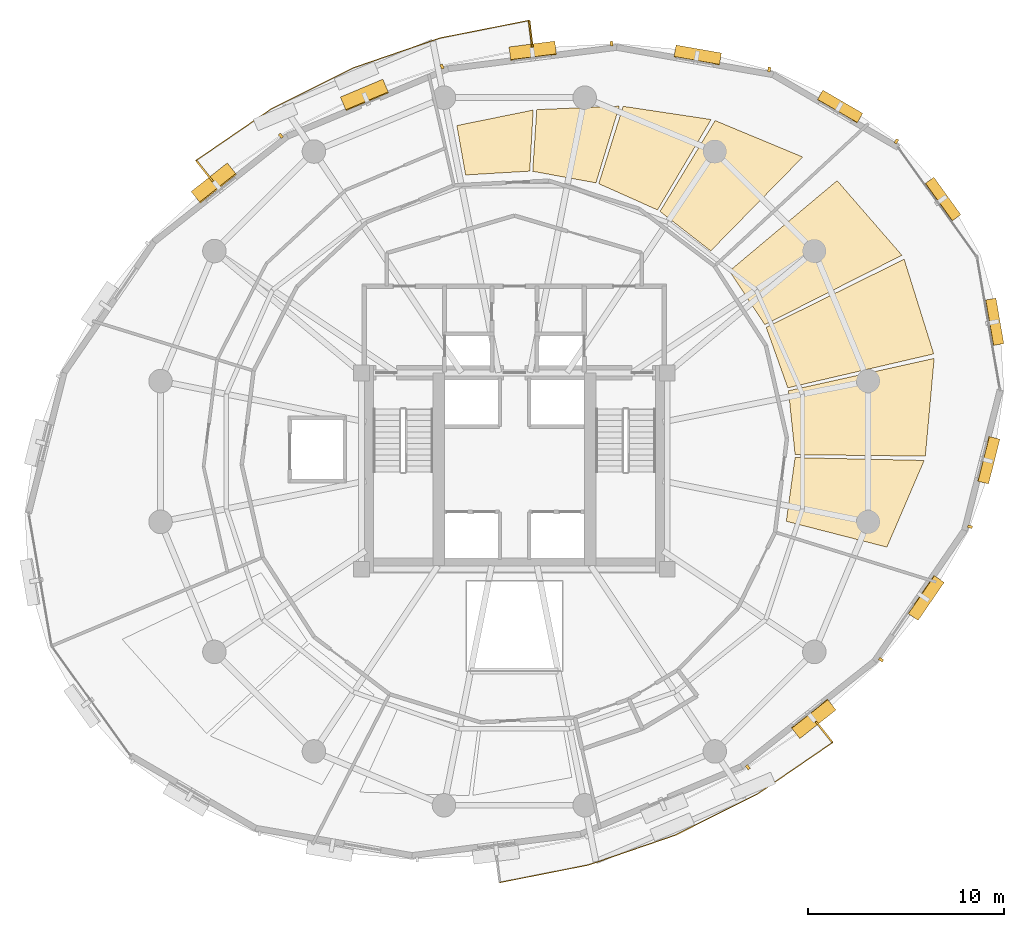
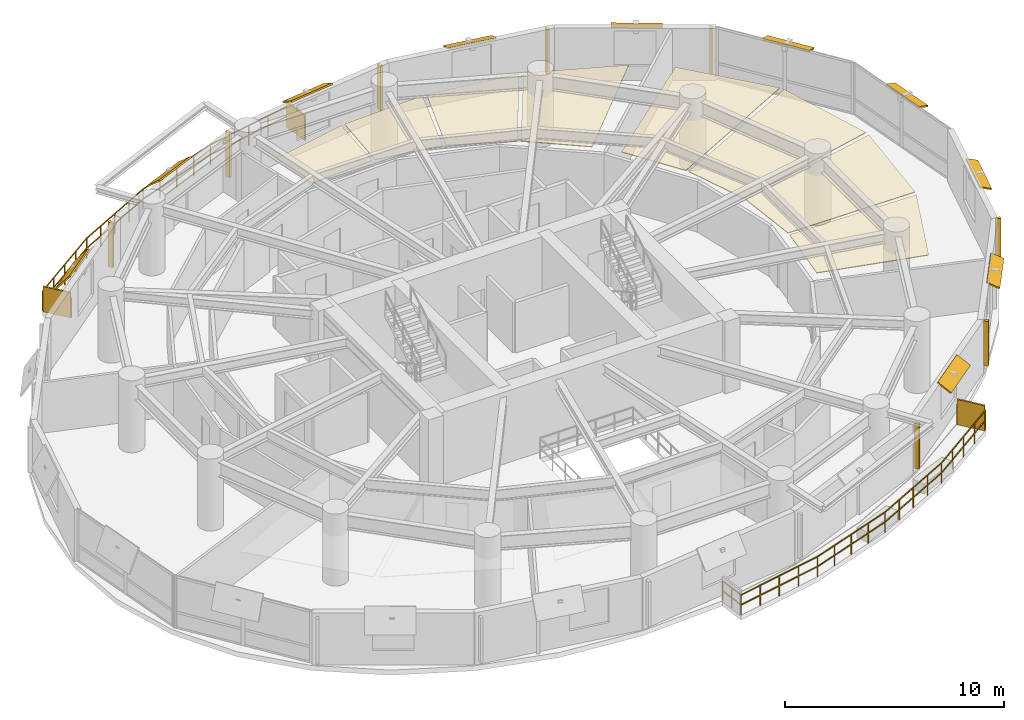
# One storey, part 14 of 14: 21 shading devices, 8 coverings, 2 railings.
"""IFC4 building model written with IfcOpenShell, lengths in metres."""

from ifc_helpers import new_model, si_unit, direction, frame, origin, origin_2d, place, context, subcontext, project, spatial, polyline, rectangle, outline, extrude, material, layer, layer_set, type_object, element, save


model = new_model("IFC4")

# Units and contexts
model_context = context("Model", 3, precision=1e-05, world=origin(), true_north=direction((0.0, 1.0)))
body_context = subcontext(model_context, "Body", "Model", "MODEL_VIEW")
ifc_project = project(units=[si_unit("LENGTHUNIT", "METRE"), si_unit("AREAUNIT", "SQUARE_METRE"), si_unit("VOLUMEUNIT", "CUBIC_METRE"), si_unit("PLANEANGLEUNIT", "RADIAN"), si_unit("MASSUNIT", "GRAM", prefix="KILO"), si_unit("THERMODYNAMICTEMPERATUREUNIT", "KELVIN"), si_unit("POWERUNIT", "WATT")], contexts=[model_context])

# Site, building, storey
site_placement = place(None, origin())
site = spatial("IfcSite", under=ifc_project, at=site_placement, CompositionType="ELEMENT")
building_placement = place(site_placement, origin())
building = spatial("IfcBuilding", under=site, at=building_placement, Name="Ocrelia Relay Tower", CompositionType="ELEMENT")
storey_placement = place(building_placement, frame((0.0, 0.0, 129.800048828125)))
storey = spatial("IfcBuildingStorey", under=building, at=storey_placement, Name="L30", CompositionType="ELEMENT", Elevation=129.800048828125)

# Coverings
ifc_material_1 = material(Name="Cleanroom metal-pan acoustic ceiling", Category="aluminium")
ifc_layer_1 = layer(ifc_material_1, 0.0400390625, Name="Cleanroom metal-pan acoustic ceiling")
ifc_layer_set_1 = layer_set([ifc_layer_1], Name="Cleanroom metal-pan acoustic ceiling")
covering_type = type_object("IfcCoveringType", Name="COV-CEIL-CLEAN", PredefinedType="CEILING", material=ifc_layer_set_1)
covering_1_placement = place(storey_placement, frame((0.0, 0.0, 2.719970703125)))
element("IfcCovering", 1, at=covering_1_placement, inside=storey, type_object=covering_type, Name="L30 Optical Switching Hall A Suspended Ceiling 1", PredefinedType="CEILING", context=body_context, shape_type="SweptSolid", body=[
    extrude(outline(polyline([(47.8701171875, 22.438720703125), (53.002685546875, 21.12109375), (54.903076171875, 25.5439453125), (48.316650390625, 25.6875), (47.8701171875, 22.438720703125)])), origin(), (0.0, 0.0, 1.0), 0.0400390625),
])
covering_2_placement = place(storey_placement, frame((0.0, 0.0, 2.719970703125)))
element("IfcCovering", 2, at=covering_2_placement, inside=storey, type_object=covering_type, Name="L30 Optical Switching Hall A Suspended Ceiling 2", PredefinedType="CEILING", context=body_context, shape_type="SweptSolid", body=[
    extrude(outline(polyline([(48.319091796875, 25.83740234375), (54.9619140625, 25.76220703125), (55.412841796875, 30.7470703125), (47.980712890625, 29.099365234375), (48.319091796875, 25.83740234375)])), origin(), (0.0, 0.0, 1.0), 0.0400390625),
])
covering_3_placement = place(storey_placement, frame((0.0, 0.0, 2.719970703125)))
element("IfcCovering", 3, at=covering_3_placement, inside=storey, type_object=covering_type, Name="L30 Optical Switching Hall A Suspended Ceiling 3", PredefinedType="CEILING", context=body_context, shape_type="SweptSolid", body=[
    extrude(outline(polyline([(47.947265625, 29.24560546875), (55.390625, 30.977783203125), (53.883056640625, 35.80517578125), (46.84326171875, 32.33349609375), (47.947265625, 29.24560546875)])), origin(), (0.0, 0.0, 1.0), 0.0400390625),
])
covering_4_placement = place(storey_placement, frame((0.0, 0.0, 2.719970703125)))
element("IfcCovering", 4, at=covering_4_placement, inside=storey, type_object=covering_type, Name="L30 Optical Switching Hall A Suspended Ceiling 4", PredefinedType="CEILING", context=body_context, shape_type="SweptSolid", body=[
    extrude(outline(polyline([(46.776123046875, 32.4677734375), (53.768798828125, 36.007568359375), (50.462890625, 39.814208984375), (44.9697265625, 35.20458984375), (46.776123046875, 32.4677734375)])), origin(), (0.0, 0.0, 1.0), 0.0400390625),
])
covering_5_placement = place(storey_placement, frame((0.0, 0.0, 2.719970703125)))
element("IfcCovering", 5, at=covering_5_placement, inside=storey, type_object=covering_type, Name="L30 Optical Switching Hall B Suspended Ceiling 1", PredefinedType="CEILING", context=body_context, shape_type="SweptSolid", body=[
    extrude(outline(polyline([(44.019287109375, 36.231201171875), (48.70849609375, 41.019775390625), (44.2421875, 42.87841796875), (41.4287109375, 38.2421875), (44.019287109375, 36.231201171875)])), origin(), (0.0, 0.0, 1.0), 0.0400390625),
])
covering_6_placement = place(storey_placement, frame((0.0, 0.0, 2.719970703125)))
element("IfcCovering", 6, at=covering_6_placement, inside=storey, type_object=covering_type, Name="L30 Optical Switching Hall B Suspended Ceiling 2", PredefinedType="CEILING", context=body_context, shape_type="SweptSolid", body=[
    extrude(outline(polyline([(41.30029296875, 38.319580078125), (44.034423828125, 42.93359375), (39.551025390625, 43.605712890625), (38.30615234375, 39.6572265625), (41.30029296875, 38.319580078125)])), origin(), (0.0, 0.0, 1.0), 0.0400390625),
])
covering_7_placement = place(storey_placement, frame((0.0, 0.0, 2.719970703125)))
element("IfcCovering", 7, at=covering_7_placement, inside=storey, type_object=covering_type, Name="L30 Optical Switching Hall B Suspended Ceiling 3", PredefinedType="CEILING", context=body_context, shape_type="SweptSolid", body=[
    extrude(outline(polyline([(38.162841796875, 39.70166015625), (39.351806640625, 43.61474609375), (35.142822265625, 43.4375), (34.9365234375, 40.289306640625), (38.162841796875, 39.70166015625)])), origin(), (0.0, 0.0, 1.0), 0.0400390625),
])
covering_8_placement = place(storey_placement, frame((0.0, 0.0, 2.719970703125)))
element("IfcCovering", 8, at=covering_8_placement, inside=storey, type_object=covering_type, Name="L30 Optical Switching Hall B Suspended Ceiling 4", PredefinedType="CEILING", context=body_context, shape_type="SweptSolid", body=[
    extrude(outline(polyline([(34.786865234375, 40.29833984375), (34.95849609375, 43.414306640625), (31.068603515625, 42.62451171875), (31.513427734375, 40.102294921875), (34.786865234375, 40.29833984375)])), origin(), (0.0, 0.0, 1.0), 0.0400390625),
])

# Railings
ifc_material_2 = material(Name="Steel S355 balustrade", Category="steel")
railing_type = type_object("IfcRailingType", Name="RL-EXT-GUARD-1150", PredefinedType="GUARDRAIL", material=ifc_material_2)
railing_1_placement = place(storey_placement, frame((18.63671875, 39.756103515625, 0.0)))
element("IfcRailing", 9, at=railing_1_placement, inside=storey, type_object=railing_type, Name="L30 Loggia Balcony Guard Rail B1", PredefinedType="GUARDRAIL", context=body_context, shape_type="SweptSolid", body=[
    extrude(rectangle(XDim=0.048095703125, YDim=0.048095703125, at=origin_2d()), frame((0.0, 0.0, 1.1259765625), z_axis=(-0.621913741806, 0.783085753767, 0.0), x_axis=(-0.783085753767, -0.621913741806, 0.0)), (0.0, 0.0, 1.0), 1.3935546875),
    extrude(rectangle(XDim=0.048095703125, YDim=0.048095703125, at=origin_2d()), frame((0.0, 0.0, 0.574951171875), z_axis=(-0.621913741806, 0.783085753767, 0.0), x_axis=(-0.783085753767, -0.621913741806, 0.0)), (0.0, 0.0, 1.0), 1.3935546875),
    extrude(rectangle(XDim=0.048095703125, YDim=0.048095703125, at=origin_2d()), frame((-0.86669921875, 1.09130859375, 1.1259765625), z_axis=(0.824911435369, 0.565261995713, 0.0), x_axis=(-0.565261995713, 0.824911435369, 0.0)), (0.0, 0.0, 1.0), 2.31591796875),
    extrude(rectangle(XDim=0.048095703125, YDim=0.048095703125, at=origin_2d()), frame((-0.86669921875, 1.09130859375, 0.574951171875), z_axis=(0.824911435369, 0.565261995713, 0.0), x_axis=(-0.565261995713, 0.824911435369, 0.0)), (0.0, 0.0, 1.0), 2.31591796875),
    extrude(rectangle(XDim=0.048095703125, YDim=0.048095703125, at=origin_2d()), frame((1.043701171875, 2.400390625, 1.1259765625), z_axis=(0.824960591581, 0.565190253223, 0.0), x_axis=(-0.565190253223, 0.824960591581, 0.0)), (0.0, 0.0, 1.0), 2.315673828125),
    extrude(rectangle(XDim=0.048095703125, YDim=0.048095703125, at=origin_2d()), frame((1.043701171875, 2.400390625, 0.574951171875), z_axis=(0.824960591581, 0.565190253223, 0.0), x_axis=(-0.565190253223, 0.824960591581, 0.0)), (0.0, 0.0, 1.0), 2.315673828125),
    extrude(rectangle(XDim=0.048095703125, YDim=0.048095703125, at=origin_2d()), frame((2.9541015625, 3.709228515625, 1.1259765625), z_axis=(0.89381103783, 0.448443785388, 0.0), x_axis=(-0.448443785388, 0.89381103783, 0.0)), (0.0, 0.0, 1.0), 4.681884765625),
    extrude(rectangle(XDim=0.048095703125, YDim=0.048095703125, at=origin_2d()), frame((2.9541015625, 3.709228515625, 0.574951171875), z_axis=(0.89381103783, 0.448443785388, 0.0), x_axis=(-0.448443785388, 0.89381103783, 0.0)), (0.0, 0.0, 1.0), 4.681884765625),
    extrude(rectangle(XDim=0.048095703125, YDim=0.048095703125, at=origin_2d()), frame((7.138916015625, 5.808837890625, 1.1259765625), z_axis=(0.945765719004, 0.324849510938, 0.0), x_axis=(-0.324849510938, 0.945765719004, 0.0)), (0.0, 0.0, 1.0), 4.68212890625),
    extrude(rectangle(XDim=0.048095703125, YDim=0.048095703125, at=origin_2d()), frame((7.138916015625, 5.808837890625, 0.574951171875), z_axis=(0.945765719004, 0.324849510938, 0.0), x_axis=(-0.324849510938, 0.945765719004, 0.0)), (0.0, 0.0, 1.0), 4.68212890625),
    extrude(rectangle(XDim=0.048095703125, YDim=0.048095703125, at=origin_2d()), frame((11.567138671875, 7.329833984375, 1.1259765625), z_axis=(0.981024188546, 0.193885382347, 0.0), x_axis=(-0.193885382347, 0.981024188546, 0.0)), (0.0, 0.0, 1.0), 2.315673828125),
    extrude(rectangle(XDim=0.048095703125, YDim=0.048095703125, at=origin_2d()), frame((11.567138671875, 7.329833984375, 0.574951171875), z_axis=(0.981024188546, 0.193885382347, 0.0), x_axis=(-0.193885382347, 0.981024188546, 0.0)), (0.0, 0.0, 1.0), 2.315673828125),
    extrude(rectangle(XDim=0.048095703125, YDim=0.048095703125, at=origin_2d()), frame((13.8388671875, 7.77880859375, 1.1259765625), z_axis=(0.981004130304, 0.193986845756, 0.0), x_axis=(-0.193986845756, 0.981004130304, 0.0)), (0.0, 0.0, 1.0), 2.315673828125),
    extrude(rectangle(XDim=0.048095703125, YDim=0.048095703125, at=origin_2d()), frame((13.8388671875, 7.77880859375, 0.574951171875), z_axis=(0.981004130304, 0.193986845756, 0.0), x_axis=(-0.193986845756, 0.981004130304, 0.0)), (0.0, 0.0, 1.0), 2.315673828125),
    extrude(rectangle(XDim=0.048095703125, YDim=0.048095703125, at=origin_2d()), frame((16.110595703125, 8.22802734375, 1.1259765625), z_axis=(0.124552169125, -0.992213060369, 0.0), x_axis=(0.992213060369, 0.124552169125, 0.0)), (0.0, 0.0, 1.0), 1.3935546875),
    extrude(rectangle(XDim=0.048095703125, YDim=0.048095703125, at=origin_2d()), frame((16.110595703125, 8.22802734375, 0.574951171875), z_axis=(0.124552169125, -0.992213060369, 0.0), x_axis=(0.992213060369, 0.124552169125, 0.0)), (0.0, 0.0, 1.0), 1.3935546875),
    extrude(rectangle(XDim=0.0419921875, YDim=0.0419921875, at=origin_2d()), origin(), (0.0, 0.0, 1.0), 1.101806640625),
    extrude(rectangle(XDim=0.0419921875, YDim=0.0419921875, at=origin_2d()), frame((-0.433349609375, 0.545654296875, 0.0)), (0.0, 0.0, 1.0), 1.101806640625),
    extrude(rectangle(XDim=0.0419921875, YDim=0.0419921875, at=origin_2d()), frame((-0.86669921875, 1.09130859375, 0.0)), (0.0, 0.0, 1.0), 1.101806640625),
    extrude(rectangle(XDim=0.0419921875, YDim=0.0419921875, at=origin_2d()), frame((0.08837890625, 1.745849609375, 0.0)), (0.0, 0.0, 1.0), 1.101806640625),
    extrude(rectangle(XDim=0.0419921875, YDim=0.0419921875, at=origin_2d()), frame((1.043701171875, 2.400390625, 0.0)), (0.0, 0.0, 1.0), 1.101806640625),
    extrude(rectangle(XDim=0.0419921875, YDim=0.0419921875, at=origin_2d()), frame((1.9990234375, 3.0546875, 0.0)), (0.0, 0.0, 1.0), 1.101806640625),
    extrude(rectangle(XDim=0.0419921875, YDim=0.0419921875, at=origin_2d()), frame((2.9541015625, 3.709228515625, 0.0)), (0.0, 0.0, 1.0), 1.101806640625),
    extrude(rectangle(XDim=0.0419921875, YDim=0.0419921875, at=origin_2d()), frame((4.000244140625, 4.234130859375, 0.0)), (0.0, 0.0, 1.0), 1.101806640625),
    extrude(rectangle(XDim=0.0419921875, YDim=0.0419921875, at=origin_2d()), frame((5.04638671875, 4.759033203125, 0.0)), (0.0, 0.0, 1.0), 1.101806640625),
    extrude(rectangle(XDim=0.0419921875, YDim=0.0419921875, at=origin_2d()), frame((6.0927734375, 5.283935546875, 0.0)), (0.0, 0.0, 1.0), 1.101806640625),
    extrude(rectangle(XDim=0.0419921875, YDim=0.0419921875, at=origin_2d()), frame((7.138916015625, 5.808837890625, 0.0)), (0.0, 0.0, 1.0), 1.101806640625),
    extrude(rectangle(XDim=0.0419921875, YDim=0.0419921875, at=origin_2d()), frame((8.24609375, 6.18896484375, 0.0)), (0.0, 0.0, 1.0), 1.101806640625),
    extrude(rectangle(XDim=0.0419921875, YDim=0.0419921875, at=origin_2d()), frame((9.35302734375, 6.5693359375, 0.0)), (0.0, 0.0, 1.0), 1.101806640625),
    extrude(rectangle(XDim=0.0419921875, YDim=0.0419921875, at=origin_2d()), frame((10.4599609375, 6.94970703125, 0.0)), (0.0, 0.0, 1.0), 1.101806640625),
    extrude(rectangle(XDim=0.0419921875, YDim=0.0419921875, at=origin_2d()), frame((11.567138671875, 7.329833984375, 0.0)), (0.0, 0.0, 1.0), 1.101806640625),
    extrude(rectangle(XDim=0.0419921875, YDim=0.0419921875, at=origin_2d()), frame((12.703125, 7.55419921875, 0.0)), (0.0, 0.0, 1.0), 1.101806640625),
    extrude(rectangle(XDim=0.0419921875, YDim=0.0419921875, at=origin_2d()), frame((13.8388671875, 7.77880859375, 0.0)), (0.0, 0.0, 1.0), 1.101806640625),
    extrude(rectangle(XDim=0.0419921875, YDim=0.0419921875, at=origin_2d()), frame((14.974609375, 8.00341796875, 0.0)), (0.0, 0.0, 1.0), 1.101806640625),
    extrude(rectangle(XDim=0.0419921875, YDim=0.0419921875, at=origin_2d()), frame((16.110595703125, 8.22802734375, 0.0)), (0.0, 0.0, 1.0), 1.101806640625),
    extrude(rectangle(XDim=0.0419921875, YDim=0.0419921875, at=origin_2d()), frame((16.197265625, 7.53662109375, 0.0)), (0.0, 0.0, 1.0), 1.101806640625),
    extrude(rectangle(XDim=0.0419921875, YDim=0.0419921875, at=origin_2d()), frame((16.2841796875, 6.84521484375, 0.0)), (0.0, 0.0, 1.0), 1.101806640625),
])
railing_2_placement = place(storey_placement, frame((49.36328125, 12.243896484375, 0.0)))
element("IfcRailing", 10, at=railing_2_placement, inside=storey, type_object=railing_type, Name="L30 Loggia Balcony Guard Rail B2", PredefinedType="GUARDRAIL", context=body_context, shape_type="SweptSolid", body=[
    extrude(rectangle(XDim=0.048095703125, YDim=0.048095703125, at=origin_2d()), frame((0.0, 0.0, 1.1259765625), z_axis=(0.621913741806, -0.783085753767, 0.0), x_axis=(0.783085753767, 0.621913741806, 0.0)), (0.0, 0.0, 1.0), 1.3935546875),
    extrude(rectangle(XDim=0.048095703125, YDim=0.048095703125, at=origin_2d()), frame((0.0, 0.0, 0.574951171875), z_axis=(0.621913741806, -0.783085753767, 0.0), x_axis=(0.783085753767, 0.621913741806, 0.0)), (0.0, 0.0, 1.0), 1.3935546875),
    extrude(rectangle(XDim=0.048095703125, YDim=0.048095703125, at=origin_2d()), frame((0.86669921875, -1.09130859375, 1.1259765625), z_axis=(-0.824911435369, -0.565261995713, 0.0), x_axis=(0.565261995713, -0.824911435369, 0.0)), (0.0, 0.0, 1.0), 2.31591796875),
    extrude(rectangle(XDim=0.048095703125, YDim=0.048095703125, at=origin_2d()), frame((0.86669921875, -1.09130859375, 0.574951171875), z_axis=(-0.824911435369, -0.565261995713, 0.0), x_axis=(0.565261995713, -0.824911435369, 0.0)), (0.0, 0.0, 1.0), 2.31591796875),
    extrude(rectangle(XDim=0.048095703125, YDim=0.048095703125, at=origin_2d()), frame((-1.043701171875, -2.400390625, 1.1259765625), z_axis=(-0.824960591581, -0.565190253223, 0.0), x_axis=(0.565190253223, -0.824960591581, 0.0)), (0.0, 0.0, 1.0), 2.315673828125),
    extrude(rectangle(XDim=0.048095703125, YDim=0.048095703125, at=origin_2d()), frame((-1.043701171875, -2.400390625, 0.574951171875), z_axis=(-0.824960591581, -0.565190253223, 0.0), x_axis=(0.565190253223, -0.824960591581, 0.0)), (0.0, 0.0, 1.0), 2.315673828125),
    extrude(rectangle(XDim=0.048095703125, YDim=0.048095703125, at=origin_2d()), frame((-2.9541015625, -3.709228515625, 1.1259765625), z_axis=(-0.89381103783, -0.448443785388, 0.0), x_axis=(0.448443785388, -0.89381103783, 0.0)), (0.0, 0.0, 1.0), 4.681884765625),
    extrude(rectangle(XDim=0.048095703125, YDim=0.048095703125, at=origin_2d()), frame((-2.9541015625, -3.709228515625, 0.574951171875), z_axis=(-0.89381103783, -0.448443785388, 0.0), x_axis=(0.448443785388, -0.89381103783, 0.0)), (0.0, 0.0, 1.0), 4.681884765625),
    extrude(rectangle(XDim=0.048095703125, YDim=0.048095703125, at=origin_2d()), frame((-7.138916015625, -5.808837890625, 1.1259765625), z_axis=(-0.945765719004, -0.324849510938, 0.0), x_axis=(0.324849510938, -0.945765719004, 0.0)), (0.0, 0.0, 1.0), 4.68212890625),
    extrude(rectangle(XDim=0.048095703125, YDim=0.048095703125, at=origin_2d()), frame((-7.138916015625, -5.808837890625, 0.574951171875), z_axis=(-0.945765719004, -0.324849510938, 0.0), x_axis=(0.324849510938, -0.945765719004, 0.0)), (0.0, 0.0, 1.0), 4.68212890625),
    extrude(rectangle(XDim=0.048095703125, YDim=0.048095703125, at=origin_2d()), frame((-11.567138671875, -7.329833984375, 1.1259765625), z_axis=(-0.981004130304, -0.193986845756, 0.0), x_axis=(0.193986845756, -0.981004130304, 0.0)), (0.0, 0.0, 1.0), 2.315673828125),
    extrude(rectangle(XDim=0.048095703125, YDim=0.048095703125, at=origin_2d()), frame((-11.567138671875, -7.329833984375, 0.574951171875), z_axis=(-0.981004130304, -0.193986845756, 0.0), x_axis=(0.193986845756, -0.981004130304, 0.0)), (0.0, 0.0, 1.0), 2.315673828125),
    extrude(rectangle(XDim=0.048095703125, YDim=0.048095703125, at=origin_2d()), frame((-13.8388671875, -7.779052734375, 1.1259765625), z_axis=(-0.981024188546, -0.193885382347, 0.0), x_axis=(0.193885382347, -0.981024188546, 0.0)), (0.0, 0.0, 1.0), 2.315673828125),
    extrude(rectangle(XDim=0.048095703125, YDim=0.048095703125, at=origin_2d()), frame((-13.8388671875, -7.779052734375, 0.574951171875), z_axis=(-0.981024188546, -0.193885382347, 0.0), x_axis=(0.193885382347, -0.981024188546, 0.0)), (0.0, 0.0, 1.0), 2.315673828125),
    extrude(rectangle(XDim=0.048095703125, YDim=0.048095703125, at=origin_2d()), frame((-16.110595703125, -8.22802734375, 1.1259765625), z_axis=(-0.124552169125, 0.992213060369, 0.0), x_axis=(-0.992213060369, -0.124552169125, 0.0)), (0.0, 0.0, 1.0), 1.3935546875),
    extrude(rectangle(XDim=0.048095703125, YDim=0.048095703125, at=origin_2d()), frame((-16.110595703125, -8.22802734375, 0.574951171875), z_axis=(-0.124552169125, 0.992213060369, 0.0), x_axis=(-0.992213060369, -0.124552169125, 0.0)), (0.0, 0.0, 1.0), 1.3935546875),
    extrude(rectangle(XDim=0.0419921875, YDim=0.0419921875, at=origin_2d()), origin(), (0.0, 0.0, 1.0), 1.101806640625),
    extrude(rectangle(XDim=0.0419921875, YDim=0.0419921875, at=origin_2d()), frame((0.433349609375, -0.545654296875, 0.0)), (0.0, 0.0, 1.0), 1.101806640625),
    extrude(rectangle(XDim=0.0419921875, YDim=0.0419921875, at=origin_2d()), frame((0.86669921875, -1.09130859375, 0.0)), (0.0, 0.0, 1.0), 1.101806640625),
    extrude(rectangle(XDim=0.0419921875, YDim=0.0419921875, at=origin_2d()), frame((-0.08837890625, -1.745849609375, 0.0)), (0.0, 0.0, 1.0), 1.101806640625),
    extrude(rectangle(XDim=0.0419921875, YDim=0.0419921875, at=origin_2d()), frame((-1.043701171875, -2.400390625, 0.0)), (0.0, 0.0, 1.0), 1.101806640625),
    extrude(rectangle(XDim=0.0419921875, YDim=0.0419921875, at=origin_2d()), frame((-1.9990234375, -3.0546875, 0.0)), (0.0, 0.0, 1.0), 1.101806640625),
    extrude(rectangle(XDim=0.0419921875, YDim=0.0419921875, at=origin_2d()), frame((-2.9541015625, -3.709228515625, 0.0)), (0.0, 0.0, 1.0), 1.101806640625),
    extrude(rectangle(XDim=0.0419921875, YDim=0.0419921875, at=origin_2d()), frame((-4.000244140625, -4.234130859375, 0.0)), (0.0, 0.0, 1.0), 1.101806640625),
    extrude(rectangle(XDim=0.0419921875, YDim=0.0419921875, at=origin_2d()), frame((-5.04638671875, -4.759033203125, 0.0)), (0.0, 0.0, 1.0), 1.101806640625),
    extrude(rectangle(XDim=0.0419921875, YDim=0.0419921875, at=origin_2d()), frame((-6.0927734375, -5.283935546875, 0.0)), (0.0, 0.0, 1.0), 1.101806640625),
    extrude(rectangle(XDim=0.0419921875, YDim=0.0419921875, at=origin_2d()), frame((-7.138916015625, -5.808837890625, 0.0)), (0.0, 0.0, 1.0), 1.101806640625),
    extrude(rectangle(XDim=0.0419921875, YDim=0.0419921875, at=origin_2d()), frame((-8.24609375, -6.18896484375, 0.0)), (0.0, 0.0, 1.0), 1.101806640625),
    extrude(rectangle(XDim=0.0419921875, YDim=0.0419921875, at=origin_2d()), frame((-9.35302734375, -6.5693359375, 0.0)), (0.0, 0.0, 1.0), 1.101806640625),
    extrude(rectangle(XDim=0.0419921875, YDim=0.0419921875, at=origin_2d()), frame((-10.4599609375, -6.94970703125, 0.0)), (0.0, 0.0, 1.0), 1.101806640625),
    extrude(rectangle(XDim=0.0419921875, YDim=0.0419921875, at=origin_2d()), frame((-11.567138671875, -7.329833984375, 0.0)), (0.0, 0.0, 1.0), 1.101806640625),
    extrude(rectangle(XDim=0.0419921875, YDim=0.0419921875, at=origin_2d()), frame((-12.703125, -7.554443359375, 0.0)), (0.0, 0.0, 1.0), 1.101806640625),
    extrude(rectangle(XDim=0.0419921875, YDim=0.0419921875, at=origin_2d()), frame((-13.8388671875, -7.779052734375, 0.0)), (0.0, 0.0, 1.0), 1.101806640625),
    extrude(rectangle(XDim=0.0419921875, YDim=0.0419921875, at=origin_2d()), frame((-14.974609375, -8.00341796875, 0.0)), (0.0, 0.0, 1.0), 1.101806640625),
    extrude(rectangle(XDim=0.0419921875, YDim=0.0419921875, at=origin_2d()), frame((-16.110595703125, -8.22802734375, 0.0)), (0.0, 0.0, 1.0), 1.101806640625),
    extrude(rectangle(XDim=0.0419921875, YDim=0.0419921875, at=origin_2d()), frame((-16.197265625, -7.53662109375, 0.0)), (0.0, 0.0, 1.0), 1.101806640625),
    extrude(rectangle(XDim=0.0419921875, YDim=0.0419921875, at=origin_2d()), frame((-16.2841796875, -6.84521484375, 0.0)), (0.0, 0.0, 1.0), 1.101806640625),
])

# Shading devices
ifc_material_3 = material(Name="Perforated oxide terracotta solar screen", Category="masonry")
ifc_layer_2 = layer(ifc_material_3, 0.090087890625, Name="Perforated oxide terracotta solar screen")
ifc_layer_set_2 = layer_set([ifc_layer_2], Name="Perforated oxide terracotta solar screen")
shading_device_type_1 = type_object("IfcShadingDeviceType", Name="SH-BALC-SCREEN", PredefinedType="USERDEFINED", material=ifc_layer_set_2)
for number, where, z_axis, x_axis, name in (
    (11, (34.833984375, 47.292724609375, 0.0), (0.0, 0.0, 1.0), (-0.12443216568, 0.992228116989, 0.0), "L30 Balcony Perforated Terracotta Screen B1-1"),
    (12, (18.203369140625, 40.3017578125, 0.0), (0.0, 0.0, 1.0), (-0.621908031647, 0.783090288647, 0.0), "L30 Balcony Perforated Terracotta Screen B1-2"),
    (13, (49.796630859375, 11.6982421875, 0.0), (0.0, 0.0, 1.0), (0.621908031647, -0.783090288647, 0.0), "L30 Balcony Perforated Terracotta Screen B2-2"),
):
    element("IfcShadingDevice", number, at=place(storey_placement, frame(where, z_axis=z_axis, x_axis=x_axis)), inside=storey, type_object=shading_device_type_1, Name=name, ObjectType="SCREEN", PredefinedType="USERDEFINED", context=body_context, shape_type="SweptSolid", body=[
        extrude(rectangle(XDim=1.340087890625, YDim=0.090087890625, at=origin_2d()), origin(), (0.0, 0.0, 1.0), 1.39990234375),
    ])
ifc_material_4 = material(Name="Extruded oxide terracotta vertical baguette", Category="masonry")
shading_device_type_2 = type_object("IfcShadingDeviceType", Name="SH-TERR-BAGUETTE", PredefinedType="USERDEFINED", material=ifc_material_4)
for number, where, z_axis, x_axis, name in (
    (14, (53.48681640625, 41.8212890625, 0.199951171875), (0.0, 0.0, 1.0), (-0.864445728571, 0.502726150459, 0.0), "L30 Oxide Terracotta Vertical Baguette 02"),
    (15, (46.99951171875, 45.481689453125, 0.199951171875), (0.0, 0.0, 1.0), (-0.985054946327, 0.172240392232, 0.0), "L30 Oxide Terracotta Vertical Baguette 03"),
    (16, (38.955078125, 46.805908203125, 0.199951171875), (0.0, 0.0, 1.0), (-0.992052038851, -0.125828264753, 0.0), "L30 Oxide Terracotta Vertical Baguette 04"),
    (17, (30.3076171875, 45.6357421875, 0.199951171875), (0.0, 0.0, 1.0), (-0.921864083545, -0.387513369408, 0.0), "L30 Oxide Terracotta Vertical Baguette 05"),
    (18, (22.091064453125, 42.102783203125, 0.199951171875), (0.0, 0.0, 1.0), (-0.784001867769, -0.62075846457, 0.0), "L30 Oxide Terracotta Vertical Baguette 06"),
    (19, (45.908935546875, 9.897216796875, 0.199951171875), (0.0, 0.0, 1.0), (0.784001867769, 0.62075846457, 0.0), "L30 Oxide Terracotta Vertical Baguette 15"),
    (20, (52.703125, 15.3798828125, 0.199951171875), (0.0, 0.0, 1.0), (0.566147090887, 0.824304234782, 0.0), "L30 Oxide Terracotta Vertical Baguette 16"),
    (21, (57.242431640625, 22.161376953125, 0.199951171875), (0.0, 0.0, 1.0), (0.245635180575, 0.969362346114, 0.0), "L30 Oxide Terracotta Vertical Baguette 17"),
):
    element("IfcShadingDevice", number, at=place(storey_placement, frame(where, z_axis=z_axis, x_axis=x_axis)), inside=storey, type_object=shading_device_type_2, Name=name, ObjectType="BAGUETTE", PredefinedType="USERDEFINED", context=body_context, shape_type="SweptSolid", body=[
        extrude(rectangle(XDim=0.139892578125, YDim=0.239990234375, at=origin_2d()), origin(), (0.0, 0.0, 1.0), 2.5),
    ])
ifc_material_5 = material(Name="Extruded oxide terracotta fin", Category="masonry")
ifc_layer_3 = layer(ifc_material_5, 0.080078125, Name="Extruded oxide terracotta fin")
ifc_layer_set_3 = layer_set([ifc_layer_3], Name="Extruded oxide terracotta fin")
shading_device_type_3 = type_object("IfcShadingDeviceType", Name="SH-VISOR-FIN-MED", PredefinedType="USERDEFINED", material=ifc_layer_set_3)
shading_device_1_placement = place(storey_placement, frame((26.366943359375, 44.15869140625, 2.709716796875), z_axis=(-0.254639748171, 0.605768101473, 0.753792813636), x_axis=(-0.921864083545, -0.387513369408, 0.0)))
element("IfcShadingDevice", 22, at=shading_device_1_placement, inside=storey, type_object=shading_device_type_3, Name="L30 Canted Terracotta Sun-Visor Fin 05", ObjectType="FIN", PredefinedType="USERDEFINED", context=body_context, shape_type="SweptSolid", body=[
    extrude(rectangle(XDim=2.35009765625, YDim=0.93505859375, at=origin_2d()), origin(), (0.0, 0.0, 1.0), 0.080078125),
])
shading_device_2_placement = place(storey_placement, frame((18.69091796875, 39.668212890625, 2.715087890625), z_axis=(-0.485540739548, 0.613225382191, 0.623060848454), x_axis=(-0.784001867769, -0.62075846457, 0.0)))
element("IfcShadingDevice", 23, at=shading_device_2_placement, inside=storey, type_object=shading_device_type_3, Name="L30 Canted Terracotta Sun-Visor Fin 06", ObjectType="FIN", PredefinedType="USERDEFINED", context=body_context, shape_type="SweptSolid", body=[
    extrude(rectangle(XDim=2.35009765625, YDim=1.10791015625, at=origin_2d()), origin(), (0.0, 0.0, 1.0), 0.080078125),
])
shading_device_3_placement = place(storey_placement, frame((49.2490234375, 12.383056640625, 2.706298828125), z_axis=(0.333898700113, -0.421705412774, 0.843016134425), x_axis=(0.784001867769, 0.62075846457, 0.0)))
element("IfcShadingDevice", 24, at=shading_device_3_placement, inside=storey, type_object=shading_device_type_3, Name="L30 Canted Terracotta Sun-Visor Fin 15", ObjectType="FIN", PredefinedType="USERDEFINED", context=body_context, shape_type="SweptSolid", body=[
    extrude(rectangle(XDim=2.35009765625, YDim=0.7919921875, at=origin_2d()), origin(), (0.0, 0.0, 1.0), 0.080078125),
])
ifc_layer_4 = layer(ifc_material_5, 0.080078125, Name="Extruded oxide terracotta fin")
ifc_layer_set_4 = layer_set([ifc_layer_4], Name="Extruded oxide terracotta fin")
shading_device_type_4 = type_object("IfcShadingDeviceType", Name="SH-VISOR-FIN-SHAL", PredefinedType="USERDEFINED", material=ifc_layer_set_4)
shading_device_4_placement = place(storey_placement, frame((55.850341796875, 38.86328125, 2.701904296875), z_axis=(0.252209498855, 0.181695672292, 0.950461493885), x_axis=(-0.58452681603, 0.811374390366, 0.0)))
element("IfcShadingDevice", 25, at=shading_device_4_placement, inside=storey, type_object=shading_device_type_4, Name="L30 Canted Terracotta Sun-Visor Fin 01", ObjectType="FIN", PredefinedType="USERDEFINED", context=body_context, shape_type="SweptSolid", body=[
    extrude(rectangle(XDim=2.35009765625, YDim=0.552001953125, at=origin_2d()), origin(), (0.0, 0.0, 1.0), 0.080078125),
])
shading_device_5_placement = place(storey_placement, frame((50.6015625, 43.580078125, 2.702392578125), z_axis=(0.169383992266, 0.291258508173, 0.941529364694), x_axis=(-0.864445728571, 0.502726150459, 0.0)))
element("IfcShadingDevice", 26, at=shading_device_5_placement, inside=storey, type_object=shading_device_type_4, Name="L30 Canted Terracotta Sun-Visor Fin 02", ObjectType="FIN", PredefinedType="USERDEFINED", context=body_context, shape_type="SweptSolid", body=[
    extrude(rectangle(XDim=2.35009765625, YDim=0.577880859375, at=origin_2d()), origin(), (0.0, 0.0, 1.0), 0.080078125),
])
shading_device_6_placement = place(storey_placement, frame((43.349365234375, 46.203857421875, 2.703369140625), z_axis=(0.069121520644, 0.395310849711, 0.91594298266), x_axis=(-0.985054946327, 0.172240392232, 0.0)))
element("IfcShadingDevice", 27, at=shading_device_6_placement, inside=storey, type_object=shading_device_type_4, Name="L30 Canted Terracotta Sun-Visor Fin 03", ObjectType="FIN", PredefinedType="USERDEFINED", context=body_context, shape_type="SweptSolid", body=[
    extrude(rectangle(XDim=2.35009765625, YDim=0.64404296875, at=origin_2d()), origin(), (0.0, 0.0, 1.0), 0.080078125),
])
shading_device_7_placement = place(storey_placement, frame((34.93994140625, 46.416015625, 2.70556640625), z_axis=(-0.06456146343, 0.509013865463, 0.85833367766), x_axis=(-0.992052038851, -0.125828264753, 0.0)))
element("IfcShadingDevice", 28, at=shading_device_7_placement, inside=storey, type_object=shading_device_type_4, Name="L30 Canted Terracotta Sun-Visor Fin 04", ObjectType="FIN", PredefinedType="USERDEFINED", context=body_context, shape_type="SweptSolid", body=[
    extrude(rectangle(XDim=2.35009765625, YDim=0.764892578125, at=origin_2d()), origin(), (0.0, 0.0, 1.0), 0.080078125),
])
shading_device_8_placement = place(storey_placement, frame((54.9814453125, 18.542236328125, 2.70361328125), z_axis=(0.347192093483, -0.238457823472, 0.906970515865), x_axis=(0.566147090887, 0.824304234782, 0.0)))
element("IfcShadingDevice", 29, at=shading_device_8_placement, inside=storey, type_object=shading_device_type_4, Name="L30 Canted Terracotta Sun-Visor Fin 16", ObjectType="FIN", PredefinedType="USERDEFINED", context=body_context, shape_type="SweptSolid", body=[
    extrude(rectangle(XDim=2.35009765625, YDim=0.6650390625, at=origin_2d()), origin(), (0.0, 0.0, 1.0), 0.080078125),
])
shading_device_9_placement = place(storey_placement, frame((58.17919921875, 25.561279296875, 2.702392578125), z_axis=(0.338526833823, -0.085782267373, 0.937038411905), x_axis=(0.245635180575, 0.969362346114, 0.0)))
element("IfcShadingDevice", 30, at=shading_device_9_placement, inside=storey, type_object=shading_device_type_4, Name="L30 Canted Terracotta Sun-Visor Fin 17", ObjectType="FIN", PredefinedType="USERDEFINED", context=body_context, shape_type="SweptSolid", body=[
    extrude(rectangle(XDim=2.35009765625, YDim=0.591064453125, at=origin_2d()), origin(), (0.0, 0.0, 1.0), 0.080078125),
])
shading_device_10_placement = place(storey_placement, frame((58.479248046875, 32.611328125, 2.701904296875), z_axis=(0.310361599772, 0.053779038215, 0.94909614499), x_axis=(-0.170734411981, 0.985317086306, 0.0)))
element("IfcShadingDevice", 31, at=shading_device_10_placement, inside=storey, type_object=shading_device_type_4, Name="L30 Canted Terracotta Sun-Visor Fin 18", ObjectType="FIN", PredefinedType="USERDEFINED", context=body_context, shape_type="SweptSolid", body=[
    extrude(rectangle(XDim=2.35009765625, YDim=0.555908203125, at=origin_2d()), origin(), (0.0, 0.0, 1.0), 0.080078125),
])

save(model, "model.ifc")
